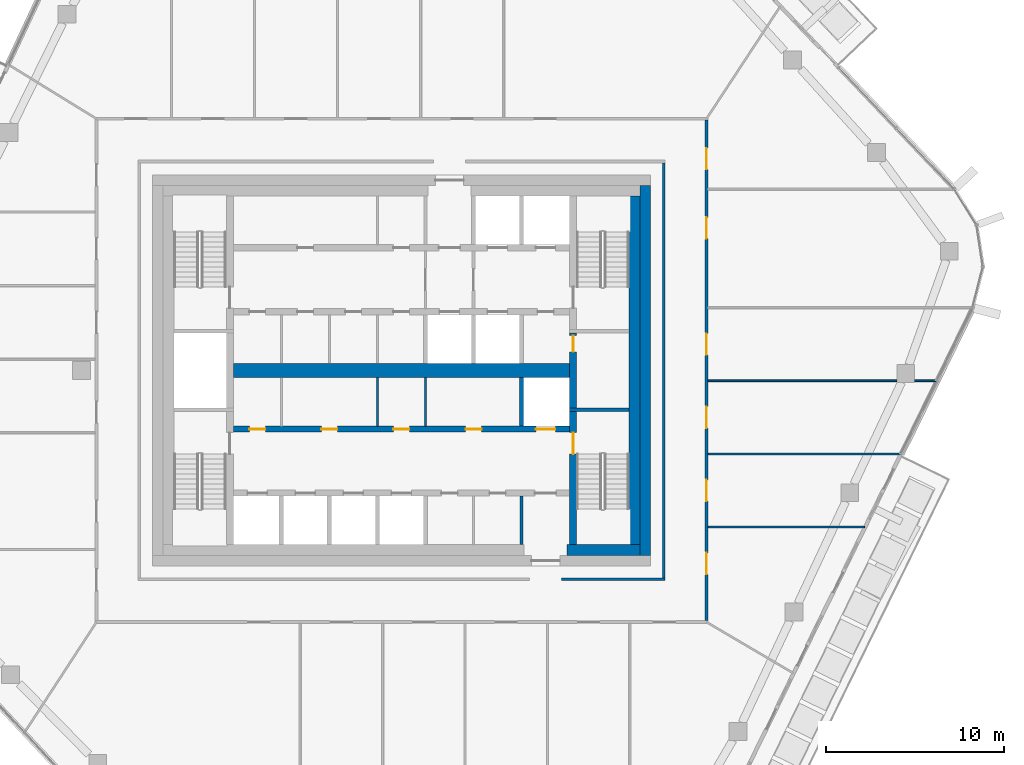
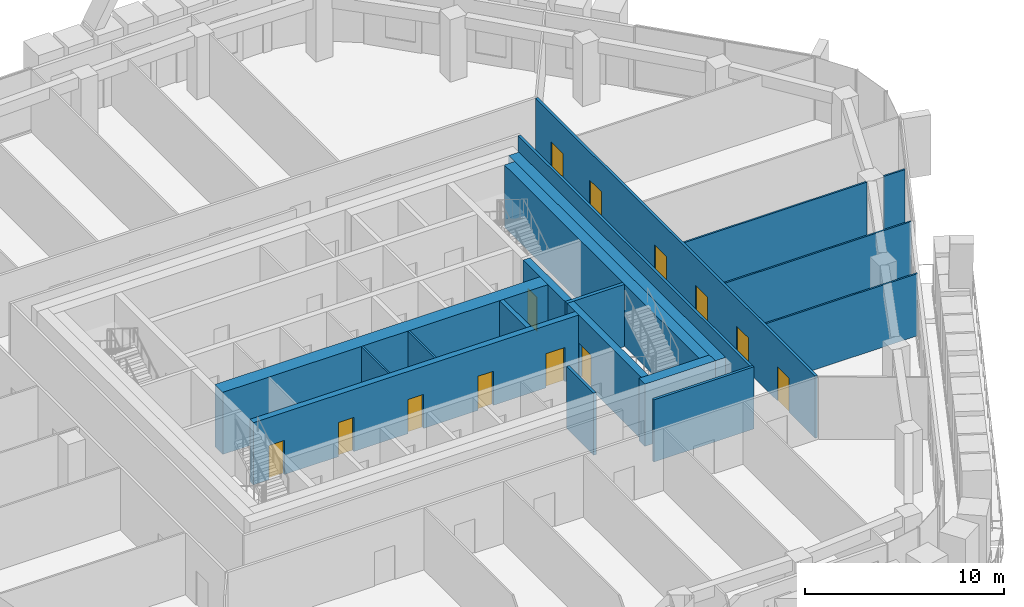
# One storey, part 14 of 23: 19 walls, 13 doors, 13 openings.
"""IFC4 building model written with IfcOpenShell, lengths in metres."""

from ifc_helpers import new_model, si_unit, direction, frame, frame_2d, origin, place, context, subcontext, project, spatial, rectangle, extrude, material, layer, layer_set, type_object, element, fill, save


model = new_model("IFC4")

# Units and contexts
model_context = context("Model", 3, precision=1e-05, world=origin(), true_north=direction((0.0, 1.0)))
body_context = subcontext(model_context, "Body", "Model", "MODEL_VIEW")
ifc_project = project(units=[si_unit("LENGTHUNIT", "METRE"), si_unit("AREAUNIT", "SQUARE_METRE"), si_unit("VOLUMEUNIT", "CUBIC_METRE"), si_unit("PLANEANGLEUNIT", "RADIAN"), si_unit("MASSUNIT", "GRAM", prefix="KILO")], contexts=[model_context])

# Site, building, storey
site_placement = place(None, origin())
site = spatial("IfcSite", under=ifc_project, at=site_placement, CompositionType="ELEMENT")
building_placement = place(site_placement, origin())
building = spatial("IfcBuilding", under=site, at=building_placement, Name="Dongbaek Canopy Tower", CompositionType="ELEMENT")
storey_placement = place(building_placement, frame((0.0, 0.0, 340.39990234375)))
storey = spatial("IfcBuildingStorey", under=building, at=storey_placement, Name="L73", CompositionType="ELEMENT", Elevation=340.39990234375)

# Wall
ifc_material_1 = material(Name="Concrete C60/75", Category="concrete")
ifc_layer_1 = layer(ifc_material_1, 0.800048828125)
ifc_layer_set_1 = layer_set([ifc_layer_1], Name="Core central wall 800 Concrete C60/75")
wall_type_1 = type_object("IfcWallType", Name="Core central wall 800 Concrete C60/75", PredefinedType="SHEAR", material=ifc_layer_set_1)
wall_1_placement = place(storey_placement, frame((-9.449951171875, 0.0, 0.0), z_axis=(0.0, 0.0, 1.0), x_axis=(1.0, 0.0, 0.0)))
element("IfcWall", 1, at=wall_1_placement, inside=storey, type_object=wall_type_1, Name="Core wall", PredefinedType="SHEAR", context=body_context, shape_type="SweptSolid", body=[
    extrude(rectangle(XDim=18.89990234375, YDim=0.800048828125, at=frame_2d((9.449951171875, 0.0))), origin(), (0.0, 0.0, 1.0), 3.820068359375),
])

# Wall, openings, doors
ifc_material_2 = material(Name="Concrete C60/75", Category="concrete")
ifc_layer_2 = layer(ifc_material_2, 0.35009765625)
ifc_layer_set_2 = layer_set([ifc_layer_2], Name="Core lobby wall 350 Concrete C60/75")
wall_type_2 = type_object("IfcWallType", Name="Core lobby wall 350 Concrete C60/75", PredefinedType="SHEAR", material=ifc_layer_set_2)
wall_2_placement = place(storey_placement, frame((-9.449951171875, -3.300048828125, 0.0), z_axis=(0.0, 0.0, 1.0), x_axis=(1.0, 0.0, 0.0)))
wall_2 = element("IfcWall", 2, at=wall_2_placement, inside=storey, type_object=wall_type_2, Name="Core wall", PredefinedType="SHEAR", context=body_context, shape_type="SweptSolid", body=[
    extrude(rectangle(XDim=18.89990234375, YDim=0.35009765625, at=frame_2d((9.449951171875, 0.0))), origin(), (0.0, 0.0, 1.0), 3.820068359375),
])
opening_1_placement = place(wall_2_placement, frame((17.0, 0.0, 0.0)))
opening_1 = element("IfcOpeningElement", 3, at=opening_1_placement, cuts=wall_2, Name="Opening L73-D033", PredefinedType="OPENING", context=body_context, shape_type="SweptSolid", body=[
    extrude(rectangle(XDim=1.10009765625, YDim=2.10009765625, at=frame_2d((0.550048828125, 1.050048828125))), frame((0.0, 0.18505859375, 0.0), z_axis=(0.0, -1.0, 0.0), x_axis=(1.0, 0.0, 0.0)), (0.0, 0.0, 1.0), 0.3701171875),
])
opening_2_placement = place(wall_2_placement, frame((0.89990234375, 0.0, 0.0)))
opening_2 = element("IfcOpeningElement", 4, at=opening_2_placement, cuts=wall_2, Name="Opening L73-D046", PredefinedType="OPENING", context=body_context, shape_type="SweptSolid", body=[
    extrude(rectangle(XDim=0.89990234375, YDim=2.10009765625, at=frame_2d((0.449951171875, 1.050048828125))), frame((0.0, 0.18505859375, 0.0), z_axis=(0.0, -1.0, 0.0), x_axis=(1.0, 0.0, 0.0)), (0.0, 0.0, 1.0), 0.3701171875),
])
opening_3_placement = place(wall_2_placement, frame((4.949951171875, 0.0, 0.0)))
opening_3 = element("IfcOpeningElement", 5, at=opening_3_placement, cuts=wall_2, Name="Opening L73-D047", PredefinedType="OPENING", context=body_context, shape_type="SweptSolid", body=[
    extrude(rectangle(XDim=0.89990234375, YDim=2.10009765625, at=frame_2d((0.449951171875, 1.050048828125))), frame((0.0, 0.18505859375, 0.0), z_axis=(0.0, -1.0, 0.0), x_axis=(1.0, 0.0, 0.0)), (0.0, 0.0, 1.0), 0.3701171875),
])
opening_4_placement = place(wall_2_placement, frame((9.0, 0.0, 0.0)))
opening_4 = element("IfcOpeningElement", 6, at=opening_4_placement, cuts=wall_2, Name="Opening L73-D048", PredefinedType="OPENING", context=body_context, shape_type="SweptSolid", body=[
    extrude(rectangle(XDim=0.89990234375, YDim=2.10009765625, at=frame_2d((0.449951171875, 1.050048828125))), frame((0.0, 0.18505859375, 0.0), z_axis=(0.0, -1.0, 0.0), x_axis=(1.0, 0.0, 0.0)), (0.0, 0.0, 1.0), 0.3701171875),
])
opening_5_placement = place(wall_2_placement, frame((13.050048828125, 0.0, 0.0)))
opening_5 = element("IfcOpeningElement", 7, at=opening_5_placement, cuts=wall_2, Name="Opening L73-D049", PredefinedType="OPENING", context=body_context, shape_type="SweptSolid", body=[
    extrude(rectangle(XDim=0.89990234375, YDim=2.10009765625, at=frame_2d((0.449951171875, 1.050048828125))), frame((0.0, 0.18505859375, 0.0), z_axis=(0.0, -1.0, 0.0), x_axis=(1.0, 0.0, 0.0)), (0.0, 0.0, 1.0), 0.3701171875),
])
ifc_material_3 = material(Name="Steel", Category="steel")
door_type_1 = type_object("IfcDoorType", Name="Core room door 900 x 2100", OperationType="SINGLE_SWING_LEFT", PredefinedType="DOOR", material=ifc_material_3)
door_1_placement = place(opening_2_placement, origin())
door_1 = element("IfcDoor", 8, at=door_1_placement, inside=storey, type_object=door_type_1, Name="Door L73-D046", OperationType="SINGLE_SWING_RIGHT", OverallHeight=2.10009765625, OverallWidth=0.89990234375, PredefinedType="DOOR", context=body_context, shape_type="SweptSolid", body=[
    extrude(rectangle(XDim=0.89990234375, YDim=2.10009765625, at=frame_2d((0.449951171875, 1.050048828125))), frame((0.0, 0.02490234375, 0.0), z_axis=(0.0, -1.0, 0.0), x_axis=(1.0, 0.0, 0.0)), (0.0, 0.0, 1.0), 0.050048828125),
])
fill(opening_2, door_1)
door_2_placement = place(opening_3_placement, origin())
door_2 = element("IfcDoor", 9, at=door_2_placement, inside=storey, type_object=door_type_1, Name="Door L73-D047", OperationType="SINGLE_SWING_LEFT", OverallHeight=2.10009765625, OverallWidth=0.89990234375, PredefinedType="DOOR", context=body_context, shape_type="SweptSolid", body=[
    extrude(rectangle(XDim=0.89990234375, YDim=2.10009765625, at=frame_2d((0.449951171875, 1.050048828125))), frame((0.0, 0.02490234375, 0.0), z_axis=(0.0, -1.0, 0.0), x_axis=(1.0, 0.0, 0.0)), (0.0, 0.0, 1.0), 0.050048828125),
])
fill(opening_3, door_2)
door_3_placement = place(opening_4_placement, origin())
door_3 = element("IfcDoor", 10, at=door_3_placement, inside=storey, type_object=door_type_1, Name="Door L73-D048", OperationType="SINGLE_SWING_RIGHT", OverallHeight=2.10009765625, OverallWidth=0.89990234375, PredefinedType="DOOR", context=body_context, shape_type="SweptSolid", body=[
    extrude(rectangle(XDim=0.89990234375, YDim=2.10009765625, at=frame_2d((0.449951171875, 1.050048828125))), frame((0.0, 0.02490234375, 0.0), z_axis=(0.0, -1.0, 0.0), x_axis=(1.0, 0.0, 0.0)), (0.0, 0.0, 1.0), 0.050048828125),
])
fill(opening_4, door_3)
door_4_placement = place(opening_5_placement, origin())
door_4 = element("IfcDoor", 11, at=door_4_placement, inside=storey, type_object=door_type_1, Name="Door L73-D049", OperationType="SINGLE_SWING_LEFT", OverallHeight=2.10009765625, OverallWidth=0.89990234375, PredefinedType="DOOR", context=body_context, shape_type="SweptSolid", body=[
    extrude(rectangle(XDim=0.89990234375, YDim=2.10009765625, at=frame_2d((0.449951171875, 1.050048828125))), frame((0.0, 0.02490234375, 0.0), z_axis=(0.0, -1.0, 0.0), x_axis=(1.0, 0.0, 0.0)), (0.0, 0.0, 1.0), 0.050048828125),
])
fill(opening_5, door_4)
ifc_material_4 = material(Name="Stainless steel", Category="steel")
door_type_2 = type_object("IfcDoorType", Name="Lift landing door 1100 x 2100", OperationType="DOUBLE_DOOR_SLIDING", PredefinedType="DOOR", material=ifc_material_4)
door_5_placement = place(opening_1_placement, origin())
door_5 = element("IfcDoor", 12, at=door_5_placement, inside=storey, type_object=door_type_2, Name="Landing door SV2", OperationType="DOUBLE_DOOR_SLIDING", OverallHeight=2.10009765625, OverallWidth=1.10009765625, PredefinedType="DOOR", context=body_context, shape_type="SweptSolid", body=[
    extrude(rectangle(XDim=1.10009765625, YDim=2.10009765625, at=frame_2d((0.550048828125, 1.050048828125))), frame((0.0, 0.02490234375, 0.0), z_axis=(0.0, -1.0, 0.0), x_axis=(1.0, 0.0, 0.0)), (0.0, 0.0, 1.0), 0.050048828125),
])
fill(opening_1, door_5)

# Walls
ifc_material_5 = material(Name="Concrete C80/95", Category="concrete")
ifc_layer_3 = layer(ifc_material_5, 0.60009765625)
ifc_layer_set_3 = layer_set([ifc_layer_3], Name="Core outer wall 600 Concrete C80/95")
wall_type_3 = type_object("IfcWallType", Name="Core outer wall 600 Concrete C80/95", PredefinedType="SHEAR", material=ifc_layer_set_3)
wall_3_placement = place(storey_placement, frame((13.699951171875, 10.39990234375, 0.0), z_axis=(0.0, 0.0, 1.0), x_axis=(0.0, -1.0, 0.0)))
element("IfcWall", 13, at=wall_3_placement, inside=storey, type_object=wall_type_3, Name="Core wall", PredefinedType="SHEAR", context=body_context, shape_type="SweptSolid", body=[
    extrude(rectangle(XDim=20.7998046875, YDim=0.60009765625, at=frame_2d((10.39990234375, 0.0))), origin(), (0.0, 0.0, 1.0), 3.820068359375),
])
ifc_material_6 = material(Name="Concrete C60/75", Category="concrete")
ifc_layer_4 = layer(ifc_material_6, 0.60009765625)
ifc_layer_set_4 = layer_set([ifc_layer_4], Name="Core wall lining 600 Concrete C60/75")
wall_type_4 = type_object("IfcWallType", Name="Core wall lining 600 Concrete C60/75", PredefinedType="SHEAR", material=ifc_layer_set_4)
wall_4_placement = place(storey_placement, frame((13.39990234375, -10.10009765625, 0.0), z_axis=(0.0, 0.0, 1.0), x_axis=(-1.0, 0.0, 0.0)))
element("IfcWall", 14, at=wall_4_placement, inside=storey, type_object=wall_type_4, Name="Core wall lining", PredefinedType="SHEAR", context=body_context, shape_type="SweptSolid", body=[
    extrude(rectangle(XDim=4.099853515625, YDim=0.60009765625, at=frame_2d((2.0498046875, 0.0))), origin(), (0.0, 0.0, 1.0), 3.820068359375),
])
wall_5_placement = place(storey_placement, frame((13.10009765625, 9.800048828125, 0.0), z_axis=(0.0, 0.0, 1.0), x_axis=(0.0, -1.0, 0.0)))
element("IfcWall", 15, at=wall_5_placement, inside=storey, type_object=wall_type_4, Name="Core wall lining", PredefinedType="SHEAR", context=body_context, shape_type="SweptSolid", body=[
    extrude(rectangle(XDim=19.60009765625, YDim=0.60009765625, at=frame_2d((9.800048828125, 0.0))), origin(), (0.0, 0.0, 1.0), 3.820068359375),
])
ifc_material_7 = material(Name="Gypsum board partition, steel stud, 2 x 15 mm fire board", Category="steel")
ifc_layer_5 = layer(ifc_material_7, 0.14990234375)
ifc_layer_set_5 = layer_set([ifc_layer_5], Name="Fire-rated partition 150 gypsum board")
wall_type_5 = type_object("IfcWallType", Name="Fire-rated partition 150 gypsum board", PredefinedType="PARTITIONING", material=ifc_layer_set_5)
wall_6_placement = place(storey_placement, frame((9.0, -11.75, 0.0), z_axis=(0.0, 0.0, 1.0), x_axis=(1.0, 0.0, 0.0)))
element("IfcWall", 16, at=wall_6_placement, inside=storey, type_object=wall_type_5, Name="Corridor partition", PredefinedType="PARTITIONING", context=body_context, shape_type="SweptSolid", body=[
    extrude(rectangle(XDim=5.824951171875, YDim=0.14990234375, at=frame_2d((2.91259765625, 0.0))), origin(), (0.0, 0.0, 1.0), 3.820068359375),
])

# Wall, openings, doors
wall_7_placement = place(storey_placement, frame((17.14990234375, 14.074951171875, 0.0), z_axis=(0.0, 0.0, 1.0), x_axis=(0.0, -1.0, 0.0)))
wall_7 = element("IfcWall", 17, at=wall_7_placement, inside=storey, type_object=wall_type_5, Name="Corridor partition", PredefinedType="PARTITIONING", context=body_context, shape_type="SweptSolid", body=[
    extrude(rectangle(XDim=28.14990234375, YDim=0.14990234375, at=frame_2d((14.074951171875, 0.0))), origin(), (0.0, 0.0, 1.0), 3.820068359375),
])
opening_6_placement = place(wall_7_placement, frame((24.33935546875, 0.0, 0.0)))
opening_6 = element("IfcOpeningElement", 18, at=opening_6_placement, cuts=wall_7, Name="Opening L73-D010", PredefinedType="OPENING", context=body_context, shape_type="SweptSolid", body=[
    extrude(rectangle(XDim=1.199951171875, YDim=2.10009765625, at=frame_2d((0.60009765625, 1.050048828125))), frame((0.0, 0.0849609375, 0.0), z_axis=(0.0, -1.0, 0.0), x_axis=(1.0, 0.0, 0.0)), (0.0, 0.0, 1.0), 0.169921875),
])
opening_7_placement = place(wall_7_placement, frame((20.227294921875, 0.0, 0.0)))
opening_7 = element("IfcOpeningElement", 19, at=opening_7_placement, cuts=wall_7, Name="Opening L73-D011", PredefinedType="OPENING", context=body_context, shape_type="SweptSolid", body=[
    extrude(rectangle(XDim=1.199951171875, YDim=2.10009765625, at=frame_2d((0.60009765625, 1.050048828125))), frame((0.0, 0.0849609375, 0.0), z_axis=(0.0, -1.0, 0.0), x_axis=(1.0, 0.0, 0.0)), (0.0, 0.0, 1.0), 0.169921875),
])
opening_8_placement = place(wall_7_placement, frame((16.114501953125, 0.0, 0.0)))
opening_8 = element("IfcOpeningElement", 20, at=opening_8_placement, cuts=wall_7, Name="Opening L73-D012", PredefinedType="OPENING", context=body_context, shape_type="SweptSolid", body=[
    extrude(rectangle(XDim=1.199951171875, YDim=2.10009765625, at=frame_2d((0.60009765625, 1.050048828125))), frame((0.0, 0.0849609375, 0.0), z_axis=(0.0, -1.0, 0.0), x_axis=(1.0, 0.0, 0.0)), (0.0, 0.0, 1.0), 0.169921875),
])
opening_9_placement = place(wall_7_placement, frame((12.005615234375, 0.0, 0.0)))
opening_9 = element("IfcOpeningElement", 21, at=opening_9_placement, cuts=wall_7, Name="Opening L73-D013", PredefinedType="OPENING", context=body_context, shape_type="SweptSolid", body=[
    extrude(rectangle(XDim=1.199951171875, YDim=2.10009765625, at=frame_2d((0.60009765625, 1.050048828125))), frame((0.0, 0.0849609375, 0.0), z_axis=(0.0, -1.0, 0.0), x_axis=(1.0, 0.0, 0.0)), (0.0, 0.0, 1.0), 0.169921875),
])
opening_10_placement = place(wall_7_placement, frame((5.463623046875, 0.0, 0.0)))
opening_10 = element("IfcOpeningElement", 22, at=opening_10_placement, cuts=wall_7, Name="Opening L73-D014", PredefinedType="OPENING", context=body_context, shape_type="SweptSolid", body=[
    extrude(rectangle(XDim=1.199951171875, YDim=2.10009765625, at=frame_2d((0.60009765625, 1.050048828125))), frame((0.0, 0.0849609375, 0.0), z_axis=(0.0, -1.0, 0.0), x_axis=(1.0, 0.0, 0.0)), (0.0, 0.0, 1.0), 0.169921875),
])
opening_11_placement = place(wall_7_placement, frame((1.56884765625, 0.0, 0.0)))
opening_11 = element("IfcOpeningElement", 23, at=opening_11_placement, cuts=wall_7, Name="Opening L73-D015", PredefinedType="OPENING", context=body_context, shape_type="SweptSolid", body=[
    extrude(rectangle(XDim=1.199951171875, YDim=2.10009765625, at=frame_2d((0.60009765625, 1.050048828125))), frame((0.0, 0.0849609375, 0.0), z_axis=(0.0, -1.0, 0.0), x_axis=(1.0, 0.0, 0.0)), (0.0, 0.0, 1.0), 0.169921875),
])
ifc_material_8 = material(Name="Timber veneered door leaf", Category="wood")
door_type_3 = type_object("IfcDoorType", Name="Room door 1200 x 2100", OperationType="SINGLE_SWING_LEFT", PredefinedType="DOOR", material=ifc_material_8)
door_6_placement = place(opening_6_placement, origin())
door_6 = element("IfcDoor", 24, at=door_6_placement, inside=storey, type_object=door_type_3, Name="Door L73-D010", OperationType="SINGLE_SWING_LEFT", OverallHeight=2.10009765625, OverallWidth=1.199951171875, PredefinedType="DOOR", context=body_context, shape_type="SweptSolid", body=[
    extrude(rectangle(XDim=1.199951171875, YDim=2.10009765625, at=frame_2d((0.60009765625, 1.050048828125))), frame((0.0, 0.02490234375, 0.0), z_axis=(0.0, -1.0, 0.0), x_axis=(1.0, 0.0, 0.0)), (0.0, 0.0, 1.0), 0.050048828125),
])
fill(opening_6, door_6)
door_7_placement = place(opening_7_placement, origin())
door_7 = element("IfcDoor", 25, at=door_7_placement, inside=storey, type_object=door_type_3, Name="Door L73-D011", OperationType="SINGLE_SWING_RIGHT", OverallHeight=2.10009765625, OverallWidth=1.199951171875, PredefinedType="DOOR", context=body_context, shape_type="SweptSolid", body=[
    extrude(rectangle(XDim=1.199951171875, YDim=2.10009765625, at=frame_2d((0.60009765625, 1.050048828125))), frame((0.0, 0.02490234375, 0.0), z_axis=(0.0, -1.0, 0.0), x_axis=(1.0, 0.0, 0.0)), (0.0, 0.0, 1.0), 0.050048828125),
])
fill(opening_7, door_7)
door_8_placement = place(opening_8_placement, origin())
door_8 = element("IfcDoor", 26, at=door_8_placement, inside=storey, type_object=door_type_3, Name="Door L73-D012", OperationType="SINGLE_SWING_LEFT", OverallHeight=2.10009765625, OverallWidth=1.199951171875, PredefinedType="DOOR", context=body_context, shape_type="SweptSolid", body=[
    extrude(rectangle(XDim=1.199951171875, YDim=2.10009765625, at=frame_2d((0.60009765625, 1.050048828125))), frame((0.0, 0.02490234375, 0.0), z_axis=(0.0, -1.0, 0.0), x_axis=(1.0, 0.0, 0.0)), (0.0, 0.0, 1.0), 0.050048828125),
])
fill(opening_8, door_8)
door_9_placement = place(opening_9_placement, origin())
door_9 = element("IfcDoor", 27, at=door_9_placement, inside=storey, type_object=door_type_3, Name="Door L73-D013", OperationType="SINGLE_SWING_RIGHT", OverallHeight=2.10009765625, OverallWidth=1.199951171875, PredefinedType="DOOR", context=body_context, shape_type="SweptSolid", body=[
    extrude(rectangle(XDim=1.199951171875, YDim=2.10009765625, at=frame_2d((0.60009765625, 1.050048828125))), frame((0.0, 0.02490234375, 0.0), z_axis=(0.0, -1.0, 0.0), x_axis=(1.0, 0.0, 0.0)), (0.0, 0.0, 1.0), 0.050048828125),
])
fill(opening_9, door_9)
door_10_placement = place(opening_10_placement, origin())
door_10 = element("IfcDoor", 28, at=door_10_placement, inside=storey, type_object=door_type_3, Name="Door L73-D014", OperationType="SINGLE_SWING_LEFT", OverallHeight=2.10009765625, OverallWidth=1.199951171875, PredefinedType="DOOR", context=body_context, shape_type="SweptSolid", body=[
    extrude(rectangle(XDim=1.199951171875, YDim=2.10009765625, at=frame_2d((0.60009765625, 1.050048828125))), frame((0.0, 0.02490234375, 0.0), z_axis=(0.0, -1.0, 0.0), x_axis=(1.0, 0.0, 0.0)), (0.0, 0.0, 1.0), 0.050048828125),
])
fill(opening_10, door_10)
door_11_placement = place(opening_11_placement, origin())
door_11 = element("IfcDoor", 29, at=door_11_placement, inside=storey, type_object=door_type_3, Name="Door L73-D015", OperationType="SINGLE_SWING_RIGHT", OverallHeight=2.10009765625, OverallWidth=1.199951171875, PredefinedType="DOOR", context=body_context, shape_type="SweptSolid", body=[
    extrude(rectangle(XDim=1.199951171875, YDim=2.10009765625, at=frame_2d((0.60009765625, 1.050048828125))), frame((0.0, 0.02490234375, 0.0), z_axis=(0.0, -1.0, 0.0), x_axis=(1.0, 0.0, 0.0)), (0.0, 0.0, 1.0), 0.050048828125),
])
fill(opening_11, door_11)

# Walls
wall_8_placement = place(storey_placement, frame((14.75, -11.675048828125, 0.0), z_axis=(0.0, 0.0, 1.0), x_axis=(0.0, 1.0, 0.0)))
element("IfcWall", 30, at=wall_8_placement, inside=storey, type_object=wall_type_5, Name="Corridor partition", PredefinedType="PARTITIONING", context=body_context, shape_type="SweptSolid", body=[
    extrude(rectangle(XDim=23.35009765625, YDim=0.14990234375, at=frame_2d((11.675048828125, 0.0))), origin(), (0.0, 0.0, 1.0), 3.820068359375),
])
wall_9_placement = place(storey_placement, frame((6.75, -9.800048828125, 0.0), z_axis=(0.0, 0.0, 1.0), x_axis=(0.0, 1.0, 0.0)))
element("IfcWall", 31, at=wall_9_placement, inside=storey, type_object=wall_type_5, Name="Fire lobby partition", PredefinedType="PARTITIONING", context=body_context, shape_type="SweptSolid", body=[
    extrude(rectangle(XDim=2.72509765625, YDim=0.14990234375, at=frame_2d((1.362548828125, 0.0))), origin(), (0.0, 0.0, 1.0), 3.820068359375),
])
ifc_material_9 = material(Name="Concrete C40/50", Category="concrete")
ifc_layer_6 = layer(ifc_material_9, 0.25)
ifc_layer_set_6 = layer_set([ifc_layer_6], Name="Lift shaft wall 250 Concrete C40/50")
wall_type_6 = type_object("IfcWallType", Name="Lift shaft wall 250 Concrete C40/50", PredefinedType="SOLIDWALL", material=ifc_layer_set_6)
wall_10_placement = place(storey_placement, frame((6.75, -3.125, 0.0), z_axis=(0.0, 0.0, 1.0), x_axis=(0.0, 1.0, 0.0)))
element("IfcWall", 32, at=wall_10_placement, inside=storey, type_object=wall_type_6, Name="Lift shaft wall", PredefinedType="SOLIDWALL", context=body_context, shape_type="SweptSolid", body=[
    extrude(rectangle(XDim=2.72509765625, YDim=0.25, at=frame_2d((1.362548828125, 0.0))), origin(), (0.0, 0.0, 1.0), 3.820068359375),
])
ifc_material_10 = material(Name="Gypsum board partition, steel stud, 2 x 12.5 mm board", Category="steel")
ifc_layer_7 = layer(ifc_material_10, 0.10009765625)
ifc_layer_set_7 = layer_set([ifc_layer_7], Name="Partition 100 gypsum board")
wall_type_7 = type_object("IfcWallType", Name="Partition 100 gypsum board", PredefinedType="PARTITIONING", material=ifc_layer_set_7)
wall_11_placement = place(storey_placement, frame((17.22509765625, -8.80810546875, 0.0), z_axis=(0.0, 0.0, 1.0), x_axis=(1.0, 0.0, 0.0)))
element("IfcWall", 33, at=wall_11_placement, inside=storey, type_object=wall_type_7, Name="Partition", PredefinedType="PARTITIONING", context=body_context, shape_type="SweptSolid", body=[
    extrude(rectangle(XDim=8.82421875, YDim=0.10009765625, at=frame_2d((4.412109375, 0.0))), origin(), (0.0, 0.0, 1.0), 3.820068359375),
])
wall_12_placement = place(storey_placement, frame((17.22509765625, -4.696044921875, 0.0), z_axis=(0.0, 0.0, 1.0), x_axis=(1.0, 0.0, 0.0)))
element("IfcWall", 34, at=wall_12_placement, inside=storey, type_object=wall_type_7, Name="Partition", PredefinedType="PARTITIONING", context=body_context, shape_type="SweptSolid", body=[
    extrude(rectangle(XDim=10.835205078125, YDim=0.10009765625, at=frame_2d((5.41748046875, 0.0))), origin(), (0.0, 0.0, 1.0), 3.820068359375),
])
wall_13_placement = place(storey_placement, frame((17.22509765625, -0.5830078125, 0.0), z_axis=(0.0, 0.0, 1.0), x_axis=(1.0, 0.0, 0.0)))
element("IfcWall", 35, at=wall_13_placement, inside=storey, type_object=wall_type_7, Name="Partition", PredefinedType="PARTITIONING", context=body_context, shape_type="SweptSolid", body=[
    extrude(rectangle(XDim=10.6259765625, YDim=0.10009765625, at=frame_2d((5.31298828125, 0.0))), origin(), (0.0, 0.0, 1.0), 3.820068359375),
])
wall_14_placement = place(storey_placement, frame((28.85107421875, -0.5830078125, 0.0), z_axis=(0.0, 0.0, 1.0), x_axis=(1.0, 0.0, 0.0)))
element("IfcWall", 36, at=wall_14_placement, inside=storey, type_object=wall_type_7, Name="Partition", PredefinedType="PARTITIONING", context=body_context, shape_type="SweptSolid", body=[
    extrude(rectangle(XDim=1.22119140625, YDim=0.10009765625, at=frame_2d((0.610595703125, 0.0))), origin(), (0.0, 0.0, 1.0), 3.820068359375),
])
for number, where, z_axis, x_axis, name in (
    (37, (1.35009765625, -3.125, 0.0), (0.0, 0.0, 1.0), (0.0, 1.0, 0.0), "Core partition"),
    (38, (-1.35009765625, -3.125, 0.0), (0.0, 0.0, 1.0), (0.0, 1.0, 0.0), "Core partition"),
):
    element("IfcWall", number, at=place(storey_placement, frame(where, z_axis=z_axis, x_axis=x_axis)), inside=storey, type_object=wall_type_7, Name=name, PredefinedType="PARTITIONING", context=body_context, shape_type="SweptSolid", body=[
        extrude(rectangle(XDim=2.72509765625, YDim=0.10009765625, at=frame_2d((1.362548828125, 0.0))), origin(), (0.0, 0.0, 1.0), 3.820068359375),
    ])
ifc_material_11 = material(Name="Concrete C60/75", Category="concrete")
ifc_layer_8 = layer(ifc_material_11, 0.199951171875)
ifc_layer_set_8 = layer_set([ifc_layer_8], Name="Riser wall 200 Concrete C60/75")
wall_type_8 = type_object("IfcWallType", Name="Riser wall 200 Concrete C60/75", PredefinedType="SHEAR", material=ifc_layer_set_8)
wall_15_placement = place(storey_placement, frame((9.449951171875, -2.199951171875, 0.0), z_axis=(0.0, 0.0, 1.0), x_axis=(1.0, 0.0, 0.0)))
element("IfcWall", 39, at=wall_15_placement, inside=storey, type_object=wall_type_8, Name="Riser wall", PredefinedType="SHEAR", context=body_context, shape_type="SweptSolid", body=[
    extrude(rectangle(XDim=3.35009765625, YDim=0.199951171875, at=frame_2d((1.675048828125, 0.0))), origin(), (0.0, 0.0, 1.0), 3.820068359375),
])

# Wall, opening, door
ifc_material_12 = material(Name="Concrete C60/75", Category="concrete")
ifc_layer_9 = layer(ifc_material_12, 0.39990234375)
ifc_layer_set_9 = layer_set([ifc_layer_9], Name="Stair wall 400 Concrete C60/75")
wall_type_9 = type_object("IfcWallType", Name="Stair wall 400 Concrete C60/75", PredefinedType="SHEAR", material=ifc_layer_set_9)
wall_16_placement = place(storey_placement, frame((9.64990234375, -2.300048828125, 0.0), z_axis=(0.0, 0.0, 1.0), x_axis=(0.0, -1.0, 0.0)))
wall_16 = element("IfcWall", 40, at=wall_16_placement, inside=storey, type_object=wall_type_9, Name="Stair wall", PredefinedType="SHEAR", context=body_context, shape_type="SweptSolid", body=[
    extrude(rectangle(XDim=7.5, YDim=0.39990234375, at=frame_2d((3.75, 0.0))), origin(), (0.0, 0.0, 1.0), 3.820068359375),
])
opening_12_placement = place(wall_16_placement, frame((1.199951171875, 0.0, 0.0)))
opening_12 = element("IfcOpeningElement", 41, at=opening_12_placement, cuts=wall_16, Name="Opening L73-D054", PredefinedType="OPENING", context=body_context, shape_type="SweptSolid", body=[
    extrude(rectangle(XDim=1.199951171875, YDim=2.10009765625, at=frame_2d((0.60009765625, 1.050048828125))), frame((0.0, 0.2099609375, 0.0), z_axis=(0.0, -1.0, 0.0), x_axis=(1.0, 0.0, 0.0)), (0.0, 0.0, 1.0), 0.419921875),
])
ifc_material_13 = material(Name="Steel", Category="steel")
door_type_4 = type_object("IfcDoorType", Name="Stair door 1200 x 2100", OperationType="SINGLE_SWING_LEFT", PredefinedType="DOOR", material=ifc_material_13)
door_12_placement = place(opening_12_placement, origin())
door_12 = element("IfcDoor", 42, at=door_12_placement, inside=storey, type_object=door_type_4, Name="Stair B door", OperationType="SINGLE_SWING_RIGHT", OverallHeight=2.10009765625, OverallWidth=1.199951171875, PredefinedType="DOOR", context=body_context, shape_type="SweptSolid", body=[
    extrude(rectangle(XDim=1.199951171875, YDim=2.10009765625, at=frame_2d((0.60009765625, 1.050048828125))), frame((0.0, 0.02490234375, 0.0), z_axis=(0.0, -1.0, 0.0), x_axis=(1.0, 0.0, 0.0)), (0.0, 0.0, 1.0), 0.050048828125),
])
fill(opening_12, door_12)

wall_17_placement = place(storey_placement, frame((9.64990234375, 2.10009765625, 0.0), z_axis=(0.0, 0.0, 1.0), x_axis=(0.0, -1.0, 0.0)))
wall_17 = element("IfcWall", 43, at=wall_17_placement, inside=storey, type_object=wall_type_9, Name="Stair wall", PredefinedType="SHEAR", context=body_context, shape_type="SweptSolid", body=[
    extrude(rectangle(XDim=4.2001953125, YDim=0.39990234375, at=frame_2d((2.10009765625, 0.0))), origin(), (0.0, 0.0, 1.0), 3.820068359375),
])
opening_13_placement = place(wall_17_placement, frame((0.14990234375, 0.0, 0.0)))
opening_13 = element("IfcOpeningElement", 44, at=opening_13_placement, cuts=wall_17, Name="Opening L73-D025", PredefinedType="OPENING", context=body_context, shape_type="SweptSolid", body=[
    extrude(rectangle(XDim=0.89990234375, YDim=2.10009765625, at=frame_2d((0.449951171875, 1.050048828125))), frame((0.0, 0.2099609375, 0.0), z_axis=(0.0, -1.0, 0.0), x_axis=(1.0, 0.0, 0.0)), (0.0, 0.0, 1.0), 0.419921875),
])
door_13_placement = place(opening_13_placement, origin())
door_13 = element("IfcDoor", 45, at=door_13_placement, inside=storey, type_object=door_type_1, Name="Door L73-D025", OperationType="SINGLE_SWING_RIGHT", OverallHeight=2.10009765625, OverallWidth=0.89990234375, PredefinedType="DOOR", context=body_context, shape_type="SweptSolid", body=[
    extrude(rectangle(XDim=0.89990234375, YDim=2.10009765625, at=frame_2d((0.449951171875, 1.050048828125))), frame((0.0, 0.02490234375, 0.0), z_axis=(0.0, -1.0, 0.0), x_axis=(1.0, 0.0, 0.0)), (0.0, 0.0, 1.0), 0.050048828125),
])
fill(opening_13, door_13)

save(model, "model.ifc")
